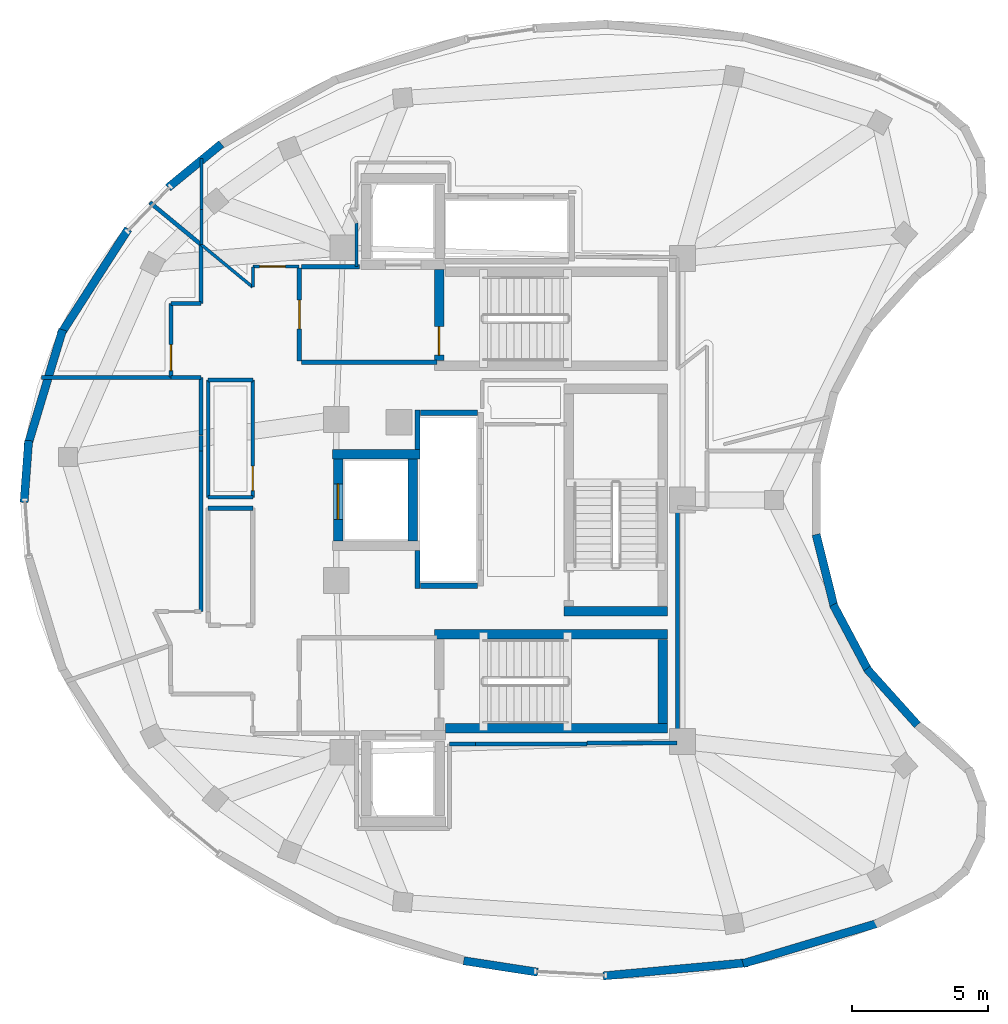
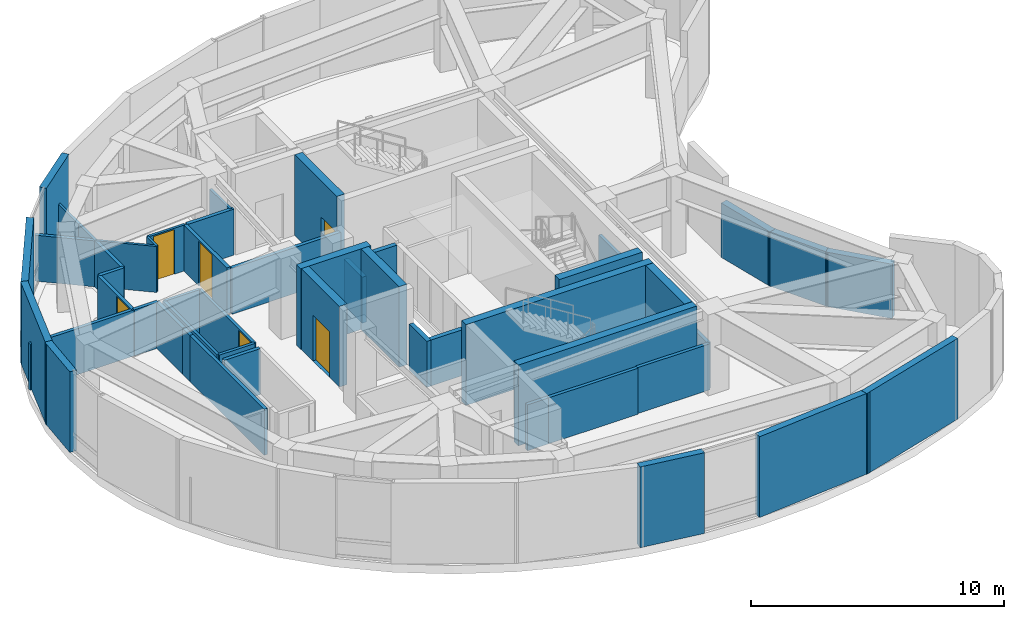
# One storey, part 4 of 8: 49 walls, 6 doors, 6 openings.
"""IFC4 building model written with IfcOpenShell, lengths in metres."""

from ifc_helpers import new_model, si_unit, direction, frame, frame_2d, origin, place, context, subcontext, project, spatial, rectangle, extrude, material, layer, layer_set, type_object, element, fill, save


model = new_model("IFC4")

# Units and contexts
model_context = context("Model", 3, precision=1e-05, world=origin(), true_north=direction((0.0, 1.0)))
body_context = subcontext(model_context, "Body", "Model", "MODEL_VIEW")
ifc_project = project(units=[si_unit("LENGTHUNIT", "METRE"), si_unit("AREAUNIT", "SQUARE_METRE"), si_unit("VOLUMEUNIT", "CUBIC_METRE"), si_unit("PLANEANGLEUNIT", "RADIAN"), si_unit("MASSUNIT", "GRAM", prefix="KILO")], contexts=[model_context])

# Site, building, storey
site_placement = place(None, origin())
site = spatial("IfcSite", under=ifc_project, at=site_placement, CompositionType="ELEMENT")
building_placement = place(site_placement, origin())
building = spatial("IfcBuilding", under=site, at=building_placement, Name="Korentha Bioscience Tower", CompositionType="ELEMENT")
storey_placement = place(building_placement, frame((0.0, 0.0, 322.800048828125)))
storey = spatial("IfcBuildingStorey", under=building, at=storey_placement, Name="L74", CompositionType="ELEMENT", Elevation=322.800048828125)

# Wall, opening, door
ifc_material_1 = material(Name="Double-Stud Acoustic Gypsum", Category="gypsum")
ifc_layer_1 = layer(ifc_material_1, 0.14990234375, Name="Double-Stud Acoustic Gypsum")
ifc_layer_set_1 = layer_set([ifc_layer_1], Name="Double-Stud Acoustic Gypsum (IW-L150)")
wall_type_1 = type_object("IfcWallType", Name="Acoustic Laboratory Partition Wall 150", PredefinedType="PARTITIONING", material=ifc_layer_set_1)
wall_1_placement = place(storey_placement, frame((18.7900390625, 34.199951171875, 0.0), z_axis=(0.0, 0.0, 1.0), x_axis=(0.0, -1.0, 0.0)))
wall_1 = element("IfcWall", 1, at=wall_1_placement, inside=storey, type_object=wall_type_1, Name="L74 Staff Pantry Kitchenette 04 Entrance Wall", PredefinedType="PARTITIONING", context=body_context, shape_type="SweptSolid", body=[
    extrude(rectangle(XDim=2.69287109375, YDim=0.14990234375, at=frame_2d((1.346435546875, 0.0))), origin(), (0.0, 0.0, 1.0), 2.219970703125),
])
opening_1_placement = place(wall_1_placement, frame((1.5029296875, 0.0, 0.0)))
opening_1 = element("IfcOpeningElement", 2, at=opening_1_placement, cuts=wall_1, Name="Opening ID-10L", PredefinedType="OPENING", context=body_context, shape_type="SweptSolid", body=[
    extrude(rectangle(XDim=0.949951171875, YDim=2.14990234375, at=frame_2d((0.47509765625, 1.074951171875))), frame((0.0, 0.08984375, 0.0), z_axis=(0.0, -1.0, 0.0), x_axis=(1.0, 0.0, 0.0)), (0.0, 0.0, 1.0), 0.1796875),
])
ifc_material_2 = material(Name="Phenolic Laminate Timber Core", Category="wood")
door_type_1 = type_object("IfcDoorType", Name="Laboratory Single Leaf Door 950x2150 Left", OperationType="SINGLE_SWING_LEFT", PredefinedType="DOOR", material=ifc_material_2)
door_1_placement = place(opening_1_placement, origin())
door_1 = element("IfcDoor", 3, at=door_1_placement, inside=storey, type_object=door_type_1, Name="L74 Staff Pantry Kitchenette 04 Door", OperationType="SINGLE_SWING_LEFT", OverallHeight=2.14990234375, OverallWidth=0.949951171875, PredefinedType="DOOR", context=body_context, shape_type="SweptSolid", body=[
    extrude(rectangle(XDim=0.949951171875, YDim=2.14990234375, at=frame_2d((0.47509765625, 1.074951171875))), frame((0.0, 0.02490234375, 0.0), z_axis=(0.0, -1.0, 0.0), x_axis=(1.0, 0.0, 0.0)), (0.0, 0.0, 1.0), 0.050048828125),
])
fill(opening_1, door_1)

# Walls
wall_2_placement = place(storey_placement, frame((29.000244140625, 18.048095703125, 0.0), z_axis=(0.0, 0.0, 1.0), x_axis=(1.0, 0.0, 0.0)))
element("IfcWall", 4, at=wall_2_placement, inside=storey, type_object=wall_type_1, Name="L74 Interior Partition 029", PredefinedType="PARTITIONING", context=body_context, shape_type="SweptSolid", body=[
    extrude(rectangle(XDim=0.949951171875, YDim=0.14990234375, at=frame_2d((0.47509765625, 0.0))), origin(), (0.0, 0.0, 1.0), 2.219970703125),
])
wall_3_placement = place(storey_placement, frame((29.95458984375, 18.048095703125, 0.0), z_axis=(0.0, 0.0, 1.0), x_axis=(1.0, 0.0, 0.0)))
element("IfcWall", 5, at=wall_3_placement, inside=storey, type_object=wall_type_1, Name="L74 Interior Partition 030", PredefinedType="PARTITIONING", context=body_context, shape_type="SweptSolid", body=[
    extrude(rectangle(XDim=4.087890625, YDim=0.14990234375, at=frame_2d((2.0439453125, 0.0))), origin(), (0.0, 0.0, 1.0), 2.219970703125),
])
wall_4_placement = place(storey_placement, frame((34.04248046875, 18.090087890625, 0.0), z_axis=(0.0, 0.0, 1.0), x_axis=(1.0, 0.0, 0.0)))
element("IfcWall", 6, at=wall_4_placement, inside=storey, type_object=wall_type_1, Name="L74 Interior Partition 031", PredefinedType="PARTITIONING", context=body_context, shape_type="SweptSolid", body=[
    extrude(rectangle(XDim=3.3076171875, YDim=0.14990234375, at=frame_2d((1.65380859375, 0.0))), origin(), (0.0, 0.0, 1.0), 2.219970703125),
])
wall_5_placement = place(storey_placement, frame((37.360107421875, 18.10009765625, 0.0), z_axis=(0.0, 0.0, 1.0), x_axis=(0.0, 1.0, 0.0)))
element("IfcWall", 7, at=wall_5_placement, inside=storey, type_object=wall_type_1, Name="L74 Interior Partition 032", PredefinedType="PARTITIONING", context=body_context, shape_type="SweptSolid", body=[
    extrude(rectangle(XDim=8.623779296875, YDim=0.14990234375, at=frame_2d((4.31201171875, 0.0))), origin(), (0.0, 0.0, 1.0), 2.219970703125),
])
wall_6_placement = place(storey_placement, frame((14.052490234375, 31.4970703125, 0.0), z_axis=(0.0, 0.0, 1.0), x_axis=(1.0, 0.0, 0.0)))
element("IfcWall", 8, at=wall_6_placement, inside=storey, type_object=wall_type_1, Name="L74 Interior Partition 054", PredefinedType="PARTITIONING", context=body_context, shape_type="SweptSolid", body=[
    extrude(rectangle(XDim=4.738037109375, YDim=0.14990234375, at=frame_2d((2.369140625, 0.0))), origin(), (0.0, 0.0, 1.0), 2.219970703125),
])
wall_7_placement = place(storey_placement, frame((18.800048828125, 31.489990234375, 0.0), z_axis=(0.0, 0.0, 1.0), x_axis=(1.0, 0.0, 0.0)))
element("IfcWall", 9, at=wall_7_placement, inside=storey, type_object=wall_type_1, Name="L74 Interior Partition 055", PredefinedType="PARTITIONING", context=body_context, shape_type="SweptSolid", body=[
    extrude(rectangle(XDim=1.097900390625, YDim=0.14990234375, at=frame_2d((0.548828125, 0.0))), origin(), (0.0, 0.0, 1.0), 2.219970703125),
])
wall_8_placement = place(storey_placement, frame((19.89794921875, 31.489990234375, 0.0), z_axis=(0.0, 0.0, 1.0), x_axis=(0.0, -1.0, 0.0)))
element("IfcWall", 10, at=wall_8_placement, inside=storey, type_object=wall_type_1, Name="L74 Interior Partition 056", PredefinedType="PARTITIONING", context=body_context, shape_type="SweptSolid", body=[
    extrude(rectangle(XDim=2.111572265625, YDim=0.14990234375, at=frame_2d((1.0556640625, 0.0))), origin(), (0.0, 0.0, 1.0), 2.219970703125),
])
wall_9_placement = place(storey_placement, frame((19.89794921875, 29.3740234375, 0.0), z_axis=(0.0, 0.0, 1.0), x_axis=(0.0, -1.0, 0.0)))
element("IfcWall", 11, at=wall_9_placement, inside=storey, type_object=wall_type_1, Name="L74 Interior Partition 057", PredefinedType="PARTITIONING", context=body_context, shape_type="SweptSolid", body=[
    extrude(rectangle(XDim=0.572021484375, YDim=0.14990234375, at=frame_2d((0.2861328125, 0.0))), origin(), (0.0, 0.0, 1.0), 2.219970703125),
])
wall_10_placement = place(storey_placement, frame((19.89794921875, 28.7978515625, 0.0), z_axis=(0.0, 0.0, 1.0), x_axis=(0.0, -1.0, 0.0)))
element("IfcWall", 12, at=wall_10_placement, inside=storey, type_object=wall_type_1, Name="L74 Interior Partition 058", PredefinedType="PARTITIONING", context=body_context, shape_type="SweptSolid", body=[
    extrude(rectangle(XDim=5.887939453125, YDim=0.14990234375, at=frame_2d((2.94384765625, 0.0))), origin(), (0.0, 0.0, 1.0), 2.219970703125),
])
wall_11_placement = place(storey_placement, frame((18.017578125, 37.9111328125, 0.0), z_axis=(0.0, 0.0, 1.0), x_axis=(0.771439858468, -0.636302243251, 0.0)))
element("IfcWall", 13, at=wall_11_placement, inside=storey, type_object=wall_type_1, Name="L74 Interior Partition 060", PredefinedType="PARTITIONING", context=body_context, shape_type="SweptSolid", body=[
    extrude(rectangle(XDim=2.429931640625, YDim=0.14990234375, at=frame_2d((1.21484375, 0.0))), origin(), (0.0, 0.0, 1.0), 2.219970703125),
])
wall_12_placement = place(storey_placement, frame((19.89794921875, 36.352294921875, 0.0), z_axis=(0.0, 0.0, 1.0), x_axis=(0.0, -1.0, 0.0)))
element("IfcWall", 14, at=wall_12_placement, inside=storey, type_object=wall_type_1, Name="L74 Interior Partition 061", PredefinedType="PARTITIONING", context=body_context, shape_type="SweptSolid", body=[
    extrude(rectangle(XDim=2.142333984375, YDim=0.14990234375, at=frame_2d((1.0712890625, 0.0))), origin(), (0.0, 0.0, 1.0), 2.219970703125),
])
wall_13_placement = place(storey_placement, frame((19.89794921875, 34.2099609375, 0.0), z_axis=(0.0, 0.0, 1.0), x_axis=(-1.0, 0.0, 0.0)))
element("IfcWall", 15, at=wall_13_placement, inside=storey, type_object=wall_type_1, Name="L74 Interior Partition 062", PredefinedType="PARTITIONING", context=body_context, shape_type="SweptSolid", body=[
    extrude(rectangle(XDim=1.097900390625, YDim=0.14990234375, at=frame_2d((0.548828125, 0.0))), origin(), (0.0, 0.0, 1.0), 2.219970703125),
])

# Wall, opening, door
ifc_material_3 = material(Name="Fire-Rated Framed Glass", Category="glass")
ifc_layer_2 = layer(ifc_material_3, 0.110107421875, Name="Fire-Rated Framed Glass")
ifc_layer_set_2 = layer_set([ifc_layer_2], Name="Fire-Rated Framed Glass (IW-G110)")
wall_type_2 = type_object("IfcWallType", Name="Demountable Glazed Office Partition 110", PredefinedType="MOVABLE", material=ifc_layer_set_2)
wall_14_placement = place(storey_placement, frame((23.489990234375, 35.56005859375, 0.0), z_axis=(0.0, 0.0, 1.0), x_axis=(-1.0, 0.0, 0.0)))
wall_14 = element("IfcWall", 16, at=wall_14_placement, inside=storey, type_object=wall_type_2, Name="L74 Principal Investigator Office 02 Entrance Wall", PredefinedType="MOVABLE", context=body_context, shape_type="SweptSolid", body=[
    extrude(rectangle(XDim=1.68994140625, YDim=0.110107421875, at=frame_2d((0.844970703125, 0.0))), origin(), (0.0, 0.0, 1.0), 2.219970703125),
])
opening_2_placement = place(wall_14_placement, frame((0.5, 0.0, 0.0)))
opening_2 = element("IfcOpeningElement", 17, at=opening_2_placement, cuts=wall_14, Name="Opening ID-10L", PredefinedType="OPENING", context=body_context, shape_type="SweptSolid", body=[
    extrude(rectangle(XDim=0.949951171875, YDim=2.14990234375, at=frame_2d((0.47509765625, 1.074951171875))), frame((0.0, 0.06982421875, 0.0), z_axis=(0.0, -1.0, 0.0), x_axis=(1.0, 0.0, 0.0)), (0.0, 0.0, 1.0), 0.139892578125),
])
door_2_placement = place(opening_2_placement, origin())
door_2 = element("IfcDoor", 18, at=door_2_placement, inside=storey, type_object=door_type_1, Name="L74 Principal Investigator Office 02 Door", OperationType="SINGLE_SWING_LEFT", OverallHeight=2.14990234375, OverallWidth=0.949951171875, PredefinedType="DOOR", context=body_context, shape_type="SweptSolid", body=[
    extrude(rectangle(XDim=0.949951171875, YDim=2.14990234375, at=frame_2d((0.47509765625, 1.074951171875))), frame((0.0, 0.02490234375, 0.0), z_axis=(0.0, -1.0, 0.0), x_axis=(1.0, 0.0, 0.0)), (0.0, 0.0, 1.0), 0.050048828125),
])
fill(opening_2, door_2)

# Walls
wall_15_placement = place(storey_placement, frame((19.902099609375, 37.652099609375, 0.0), z_axis=(0.0, 0.0, 1.0), x_axis=(0.0, 1.0, 0.0)))
element("IfcWall", 19, at=wall_15_placement, inside=storey, type_object=wall_type_2, Name="L74 Interior Partition 036", PredefinedType="MOVABLE", context=body_context, shape_type="SweptSolid", body=[
    extrude(rectangle(XDim=1.873291015625, YDim=0.110107421875, at=frame_2d((0.9365234375, 0.0))), origin(), (0.0, 0.0, 1.0), 2.219970703125),
])
wall_16_placement = place(storey_placement, frame((25.60009765625, 37.1494140625, 0.0), z_axis=(0.0, 0.0, 1.0), x_axis=(0.0, -1.0, 0.0)))
element("IfcWall", 20, at=wall_16_placement, inside=storey, type_object=wall_type_2, Name="L74 Interior Partition 050", PredefinedType="MOVABLE", context=body_context, shape_type="SweptSolid", body=[
    extrude(rectangle(XDim=1.585205078125, YDim=0.110107421875, at=frame_2d((0.79248046875, 0.0))), origin(), (0.0, 0.0, 1.0), 2.219970703125),
])
wall_17_placement = place(storey_placement, frame((21.7900390625, 35.550048828125, 0.0), z_axis=(0.0, 0.0, 1.0), x_axis=(0.0, -1.0, 0.0)))
element("IfcWall", 21, at=wall_17_placement, inside=storey, type_object=wall_type_2, Name="L74 Interior Partition 051", PredefinedType="MOVABLE", context=body_context, shape_type="SweptSolid", body=[
    extrude(rectangle(XDim=0.745361328125, YDim=0.110107421875, at=frame_2d((0.37255859375, 0.0))), origin(), (0.0, 0.0, 1.0), 2.219970703125),
])
wall_18_placement = place(storey_placement, frame((21.7900390625, 34.8046875, 0.0), z_axis=(0.0, 0.0, 1.0), x_axis=(-0.771457748332, 0.636280553325, 0.0)))
element("IfcWall", 22, at=wall_18_placement, inside=storey, type_object=wall_type_2, Name="L74 Interior Partition 052", PredefinedType="MOVABLE", context=body_context, shape_type="SweptSolid", body=[
    extrude(rectangle(XDim=2.447265625, YDim=0.110107421875, at=frame_2d((1.2236328125, 0.0))), origin(), (0.0, 0.0, 1.0), 2.219970703125),
])
wall_19_placement = place(storey_placement, frame((19.902099609375, 36.3623046875, 0.0), z_axis=(0.0, 0.0, 1.0), x_axis=(0.0, 1.0, 0.0)))
element("IfcWall", 23, at=wall_19_placement, inside=storey, type_object=wall_type_2, Name="L74 Interior Partition 053", PredefinedType="MOVABLE", context=body_context, shape_type="SweptSolid", body=[
    extrude(rectangle(XDim=1.285400390625, YDim=0.110107421875, at=frame_2d((0.642578125, 0.0))), origin(), (0.0, 0.0, 1.0), 2.219970703125),
])

# Wall, opening, door
ifc_material_4 = material(Name="Gypsum-Clad Steel Stud", Category="steel")
ifc_layer_3 = layer(ifc_material_4, 0.159912109375, Name="Gypsum-Clad Steel Stud")
ifc_layer_set_3 = layer_set([ifc_layer_3], Name="Gypsum-Clad Steel Stud (IW-C160)")
wall_type_3 = type_object("IfcWallType", Name="Fire-Rated Corridor Partition Wall 160", PredefinedType="PARTITIONING", material=ifc_layer_set_3)
wall_20_placement = place(storey_placement, frame((23.5, 32.10009765625, 0.0), z_axis=(0.0, 0.0, 1.0), x_axis=(0.0, 1.0, 0.0)))
wall_20 = element("IfcWall", 24, at=wall_20_placement, inside=storey, type_object=wall_type_3, Name="L74 FFLN-CW Rated Enclosure Wall", PredefinedType="PARTITIONING", context=body_context, shape_type="SweptSolid", body=[
    extrude(rectangle(XDim=3.39990234375, YDim=0.159912109375, at=frame_2d((1.699951171875, 0.0))), origin(), (0.0, 0.0, 1.0), 2.219970703125),
])
opening_3_placement = place(wall_20_placement, frame((1.175048828125, 0.0, 0.0)))
opening_3 = element("IfcOpeningElement", 25, at=opening_3_placement, cuts=wall_20, Name="Opening FD-90L", PredefinedType="OPENING", context=body_context, shape_type="SweptSolid", body=[
    extrude(rectangle(XDim=1.050048828125, YDim=2.14990234375, at=frame_2d((0.52490234375, 1.074951171875))), frame((0.0, 0.0947265625, 0.0), z_axis=(0.0, -1.0, 0.0), x_axis=(1.0, 0.0, 0.0)), (0.0, 0.0, 1.0), 0.189697265625),
])
ifc_material_5 = material(Name="Powder-Coated Fire-Rated Steel", Category="steel")
door_type_2 = type_object("IfcDoorType", Name="Stairwell Fire Exit Door 1050x2150 Left", OperationType="SINGLE_SWING_LEFT", PredefinedType="DOOR", material=ifc_material_5)
door_3_placement = place(opening_3_placement, origin())
door_3 = element("IfcDoor", 26, at=door_3_placement, inside=storey, type_object=door_type_2, Name="L74 North Firefighting Lobby Door", OperationType="SINGLE_SWING_LEFT", OverallHeight=2.14990234375, OverallWidth=1.050048828125, PredefinedType="DOOR", context=body_context, shape_type="SweptSolid", body=[
    extrude(rectangle(XDim=1.050048828125, YDim=2.14990234375, at=frame_2d((0.52490234375, 1.074951171875))), frame((0.0, 0.02490234375, 0.0), z_axis=(0.0, -1.0, 0.0), x_axis=(1.0, 0.0, 0.0)), (0.0, 0.0, 1.0), 0.050048828125),
])
fill(opening_3, door_3)

# Walls
wall_21_placement = place(storey_placement, frame((23.580078125, 32.050048828125, 0.0), z_axis=(0.0, 0.0, 1.0), x_axis=(1.0, 0.0, 0.0)))
element("IfcWall", 27, at=wall_21_placement, inside=storey, type_object=wall_type_3, Name="L74 Firefighting Lobby Return Wall FFLN-S", PredefinedType="PARTITIONING", context=body_context, shape_type="SweptSolid", body=[
    extrude(rectangle(XDim=4.969970703125, YDim=0.159912109375, at=frame_2d((2.48486328125, 0.0))), origin(), (0.0, 0.0, 1.0), 2.219970703125),
])
wall_22_placement = place(storey_placement, frame((23.580078125, 35.550048828125, 0.0), z_axis=(0.0, 0.0, 1.0), x_axis=(1.0, 0.0, 0.0)))
element("IfcWall", 28, at=wall_22_placement, inside=storey, type_object=wall_type_3, Name="L74 Firefighting Lobby Return Wall FFLN-N", PredefinedType="PARTITIONING", context=body_context, shape_type="SweptSolid", body=[
    extrude(rectangle(XDim=2.119873046875, YDim=0.159912109375, at=frame_2d((1.06005859375, 0.0))), origin(), (0.0, 0.0, 1.0), 2.219970703125),
])
wall_23_placement = place(storey_placement, frame((20.14990234375, 26.699951171875, 0.0), z_axis=(0.0, 0.0, 1.0), x_axis=(1.0, 0.0, 0.0)))
element("IfcWall", 29, at=wall_23_placement, inside=storey, type_object=wall_type_3, Name="L74 Interior Partition 014", PredefinedType="PARTITIONING", context=body_context, shape_type="SweptSolid", body=[
    extrude(rectangle(XDim=1.64013671875, YDim=0.159912109375, at=frame_2d((0.820068359375, 0.0))), origin(), (0.0, 0.0, 1.0), 2.219970703125),
])
ifc_material_6 = material(Name="Honed Limestone Precast Concrete C40", Category="masonry")
ifc_layer_4 = layer(ifc_material_6, 0.300048828125, Name="Honed Limestone Precast Concrete C40")
ifc_layer_set_4 = layer_set([ifc_layer_4], Name="Honed Limestone Precast Concrete C40 (EW-ST300)")
wall_type_4 = type_object("IfcWallType", Name="Honed Limestone Cavity Spandrel Wall 300", PredefinedType="STANDARD", material=ifc_layer_set_4)
wall_24_placement = place(storey_placement, frame((20.639892578125, 40.053955078125, 0.0), z_axis=(0.0, 0.0, 1.0), x_axis=(-0.77351792086, -0.633774428411, 0.0)))
element("IfcWall", 30, at=wall_24_placement, inside=storey, type_object=wall_type_4, Name="L74 Limestone Perimeter Closure Wall 12", PredefinedType="STANDARD", context=body_context, shape_type="SweptSolid", body=[
    extrude(rectangle(XDim=2.5263671875, YDim=0.300048828125, at=frame_2d((1.26318359375, 0.0))), origin(), (0.0, 0.0, 1.0), 3.89990234375),
])
wall_25_placement = place(storey_placement, frame((17.22412109375, 36.936279296875, 0.0), z_axis=(0.0, 0.0, 1.0), x_axis=(-0.540087262842, -0.841609023547, 0.0)))
element("IfcWall", 31, at=wall_25_placement, inside=storey, type_object=wall_type_4, Name="L74 Limestone Perimeter Closure Wall 14", PredefinedType="STANDARD", context=body_context, shape_type="SweptSolid", body=[
    extrude(rectangle(XDim=4.60302734375, YDim=0.300048828125, at=frame_2d((2.301513671875, 0.0))), origin(), (0.0, 0.0, 1.0), 3.89990234375),
])
wall_26_placement = place(storey_placement, frame((14.820556640625, 33.241455078125, 0.0), z_axis=(0.0, 0.0, 1.0), x_axis=(-0.288720187326, -0.95741352269, 0.0)))
element("IfcWall", 32, at=wall_26_placement, inside=storey, type_object=wall_type_4, Name="L74 Limestone Perimeter Closure Wall 16", PredefinedType="STANDARD", context=body_context, shape_type="SweptSolid", body=[
    extrude(rectangle(XDim=4.4384765625, YDim=0.300048828125, at=frame_2d((2.21923828125, 0.0))), origin(), (0.0, 0.0, 1.0), 3.89990234375),
])
wall_27_placement = place(storey_placement, frame((13.573486328125, 29.17822265625, 0.0), z_axis=(0.0, 0.0, 1.0), x_axis=(-0.073741209899, -0.997277410735, 0.0)))
element("IfcWall", 33, at=wall_27_placement, inside=storey, type_object=wall_type_4, Name="L74 Limestone Perimeter Closure Wall 18", PredefinedType="STANDARD", context=body_context, shape_type="SweptSolid", body=[
    extrude(rectangle(XDim=2.2744140625, YDim=0.300048828125, at=frame_2d((1.13720703125, 0.0))), origin(), (0.0, 0.0, 1.0), 3.89990234375),
])
wall_28_placement = place(storey_placement, frame((29.525634765625, 10.107421875, 0.0), z_axis=(0.0, 0.0, 1.0), x_axis=(0.988239617777, -0.152913236363, 0.0)))
element("IfcWall", 34, at=wall_28_placement, inside=storey, type_object=wall_type_4, Name="L74 Limestone Perimeter Closure Wall 30", PredefinedType="STANDARD", context=body_context, shape_type="SweptSolid", body=[
    extrude(rectangle(XDim=2.742919921875, YDim=0.300048828125, at=frame_2d((1.37158203125, 0.0))), origin(), (0.0, 0.0, 1.0), 3.89990234375),
])
wall_29_placement = place(storey_placement, frame((34.6357421875, 9.550537109375, 0.0), z_axis=(0.0, 0.0, 1.0), x_axis=(0.995809155395, 0.091455595959, 0.0)))
element("IfcWall", 35, at=wall_29_placement, inside=storey, type_object=wall_type_4, Name="L74 Limestone Perimeter Closure Wall 32", PredefinedType="STANDARD", context=body_context, shape_type="SweptSolid", body=[
    extrude(rectangle(XDim=5.33642578125, YDim=0.300048828125, at=frame_2d((2.668212890625, 0.0))), origin(), (0.0, 0.0, 1.0), 3.89990234375),
])
wall_30_placement = place(storey_placement, frame((39.76611328125, 10.003173828125, 0.0), z_axis=(0.0, 0.0, 1.0), x_axis=(0.957960798093, 0.286899127423, 0.0)))
element("IfcWall", 36, at=wall_30_placement, inside=storey, type_object=wall_type_4, Name="L74 Limestone Perimeter Closure Wall 34", PredefinedType="STANDARD", context=body_context, shape_type="SweptSolid", body=[
    extrude(rectangle(XDim=5.240966796875, YDim=0.300048828125, at=frame_2d((2.62060546875, 0.0))), origin(), (0.0, 0.0, 1.0), 3.89990234375),
])
wall_31_placement = place(storey_placement, frame((46.159423828125, 18.751708984375, 0.0), z_axis=(0.0, 0.0, 1.0), x_axis=(-0.669091119289, 0.743180377895, 0.0)))
element("IfcWall", 37, at=wall_31_placement, inside=storey, type_object=wall_type_4, Name="L74 Limestone Perimeter Closure Wall 43", PredefinedType="STANDARD", context=body_context, shape_type="SweptSolid", body=[
    extrude(rectangle(XDim=2.774658203125, YDim=0.300048828125, at=frame_2d((1.38720703125, 0.0))), origin(), (0.0, 0.0, 1.0), 2.625),
])
wall_32_placement = place(storey_placement, frame((44.37451171875, 20.71142578125, 0.0), z_axis=(0.0, 0.0, 1.0), x_axis=(-0.469496211135, 0.882934486658, 0.0)))
element("IfcWall", 38, at=wall_32_placement, inside=storey, type_object=wall_type_4, Name="L74 Limestone Perimeter Closure Wall 45", PredefinedType="STANDARD", context=body_context, shape_type="SweptSolid", body=[
    extrude(rectangle(XDim=2.774169921875, YDim=0.300048828125, at=frame_2d((1.38720703125, 0.0))), origin(), (0.0, 0.0, 1.0), 2.625),
])
wall_33_placement = place(storey_placement, frame((43.11669921875, 23.044677734375, 0.0), z_axis=(0.0, 0.0, 1.0), x_axis=(-0.241914392704, 0.970297596927, 0.0)))
element("IfcWall", 39, at=wall_33_placement, inside=storey, type_object=wall_type_4, Name="L74 Limestone Perimeter Closure Wall 47", PredefinedType="STANDARD", context=body_context, shape_type="SweptSolid", body=[
    extrude(rectangle(XDim=2.7744140625, YDim=0.300048828125, at=frame_2d((1.38720703125, 0.0))), origin(), (0.0, 0.0, 1.0), 2.625),
])
ifc_material_7 = material(Name="Autoclaved Aerated Concrete Block C25", Category="concrete")
ifc_layer_5 = layer(ifc_material_7, 0.199951171875, Name="Autoclaved Aerated Concrete Block C25")
ifc_layer_set_5 = layer_set([ifc_layer_5], Name="Autoclaved Aerated Concrete Block C25 (IW-S200)")
wall_type_5 = type_object("IfcWallType", Name="Lift and Riser Shaft Enclosure Wall 200", PredefinedType="PARTITIONING", material=ifc_layer_set_5)
wall_34_placement = place(storey_placement, frame((27.830078125, 23.75, 0.0), z_axis=(0.0, 0.0, 1.0), x_axis=(0.0, 1.0, 0.0)))
element("IfcWall", 40, at=wall_34_placement, inside=storey, type_object=wall_type_5, Name="L74 Lift Bank HIGH Shaft Wall -XS", PredefinedType="PARTITIONING", context=body_context, shape_type="SweptSolid", body=[
    extrude(rectangle(XDim=1.39111328125, YDim=0.199951171875, at=frame_2d((0.695556640625, 0.0))), origin(), (0.0, 0.0, 1.0), 2.219970703125),
])
wall_35_placement = place(storey_placement, frame((27.830078125, 28.85888671875, 0.0), z_axis=(0.0, 0.0, 1.0), x_axis=(0.0, 1.0, 0.0)))
element("IfcWall", 41, at=wall_35_placement, inside=storey, type_object=wall_type_5, Name="L74 Lift Bank HIGH Shaft Wall -XN", PredefinedType="PARTITIONING", context=body_context, shape_type="SweptSolid", body=[
    extrude(rectangle(XDim=1.441162109375, YDim=0.199951171875, at=frame_2d((0.720703125, 0.0))), origin(), (0.0, 0.0, 1.0), 2.219970703125),
])
for number, where, z_axis, x_axis, name in (
    (42, (27.93408203125, 23.85009765625, 0.0), (0.0, 0.0, 1.0), (1.0, 0.0, 0.0), "L74 Lift Bank HIGH Shaft Wall -Y"),
    (43, (27.93408203125, 30.199951171875, 0.0), (0.0, 0.0, 1.0), (1.0, 0.0, 0.0), "L74 Lift Bank HIGH Shaft Wall +Y"),
):
    element("IfcWall", number, at=place(storey_placement, frame(where, z_axis=z_axis, x_axis=x_axis)), inside=storey, type_object=wall_type_5, Name=name, PredefinedType="PARTITIONING", context=body_context, shape_type="SweptSolid", body=[
        extrude(rectangle(XDim=2.095947265625, YDim=0.199951171875, at=frame_2d((1.0478515625, 0.0))), origin(), (0.0, 0.0, 1.0), 2.219970703125),
    ])

# Wall, opening, door
ifc_material_8 = material(Name="Concrete C50", Category="concrete")
ifc_layer_6 = layer(ifc_material_8, 0.35009765625, Name="Concrete C50")
ifc_layer_set_6 = layer_set([ifc_layer_6], Name="Concrete C50 (CW-C50)")
wall_type_6 = type_object("IfcWallType", Name="Upper Core Shear Wall 350", PredefinedType="SHEAR", material=ifc_layer_set_6)
wall_36_placement = place(storey_placement, frame((28.625, 32.110107421875, 0.0), z_axis=(0.0, 0.0, 1.0), x_axis=(0.0, 1.0, 0.0)))
wall_36 = element("IfcWall", 44, at=wall_36_placement, inside=storey, type_object=wall_type_6, Name="L74 Core Shear Wall ST1-W", PredefinedType="SHEAR", context=body_context, shape_type="SweptSolid", body=[
    extrude(rectangle(XDim=3.3330078125, YDim=0.35009765625, at=frame_2d((1.66650390625, 0.0))), origin(), (0.0, 0.0, 1.0), 3.89990234375),
])
opening_4_placement = place(wall_36_placement, frame((0.199951171875, 0.0, 0.0)))
opening_4 = element("IfcOpeningElement", 45, at=opening_4_placement, cuts=wall_36, Name="Opening FD-90L", PredefinedType="OPENING", context=body_context, shape_type="SweptSolid", body=[
    extrude(rectangle(XDim=1.050048828125, YDim=2.14990234375, at=frame_2d((0.52490234375, 1.074951171875))), frame((0.0, 0.18994140625, 0.0), z_axis=(0.0, -1.0, 0.0), x_axis=(1.0, 0.0, 0.0)), (0.0, 0.0, 1.0), 0.3798828125),
])
door_4_placement = place(opening_4_placement, origin())
door_4 = element("IfcDoor", 46, at=door_4_placement, inside=storey, type_object=door_type_2, Name="L74 ST-1 Fire Exit Stair Door", OperationType="SINGLE_SWING_LEFT", OverallHeight=2.14990234375, OverallWidth=1.050048828125, PredefinedType="DOOR", context=body_context, shape_type="SweptSolid", body=[
    extrude(rectangle(XDim=1.050048828125, YDim=2.14990234375, at=frame_2d((0.52490234375, 1.074951171875))), frame((0.0, 0.02490234375, 0.0), z_axis=(0.0, -1.0, 0.0), x_axis=(1.0, 0.0, 0.0)), (0.0, 0.0, 1.0), 0.050048828125),
])
fill(opening_4, door_4)

# Walls
wall_37_placement = place(storey_placement, frame((28.85205078125, 18.625, 0.0), z_axis=(0.0, 0.0, 1.0), x_axis=(1.0, 0.0, 0.0)))
element("IfcWall", 47, at=wall_37_placement, inside=storey, type_object=wall_type_6, Name="L74 Core Shear Wall ST2-S", PredefinedType="SHEAR", context=body_context, shape_type="SweptSolid", body=[
    extrude(rectangle(XDim=8.14794921875, YDim=0.35009765625, at=frame_2d((4.073974609375, 0.0))), origin(), (0.0, 0.0, 1.0), 3.89990234375),
])
wall_38_placement = place(storey_placement, frame((28.449951171875, 22.074951171875, 0.0), z_axis=(0.0, 0.0, 1.0), x_axis=(1.0, 0.0, 0.0)))
element("IfcWall", 48, at=wall_38_placement, inside=storey, type_object=wall_type_6, Name="L74 Core Shear Wall ST2-N", PredefinedType="SHEAR", context=body_context, shape_type="SweptSolid", body=[
    extrude(rectangle(XDim=8.550048828125, YDim=0.35009765625, at=frame_2d((4.27490234375, 0.0))), origin(), (0.0, 0.0, 1.0), 3.89990234375),
])
wall_39_placement = place(storey_placement, frame((36.824951171875, 18.81005859375, 0.0), z_axis=(0.0, 0.0, 1.0), x_axis=(0.0, 1.0, 0.0)))
element("IfcWall", 49, at=wall_39_placement, inside=storey, type_object=wall_type_6, Name="L74 Core Shear Wall ST2-E", PredefinedType="SHEAR", context=body_context, shape_type="SweptSolid", body=[
    extrude(rectangle(XDim=3.079833984375, YDim=0.35009765625, at=frame_2d((1.5400390625, 0.0))), origin(), (0.0, 0.0, 1.0), 3.89990234375),
])
wall_40_placement = place(storey_placement, frame((33.199951171875, 22.925048828125, 0.0), z_axis=(0.0, 0.0, 1.0), x_axis=(1.0, 0.0, 0.0)))
element("IfcWall", 50, at=wall_40_placement, inside=storey, type_object=wall_type_6, Name="L74 Core Shear Wall ST3-S", PredefinedType="SHEAR", context=body_context, shape_type="SweptSolid", body=[
    extrude(rectangle(XDim=3.800048828125, YDim=0.35009765625, at=frame_2d((1.89990234375, 0.0))), origin(), (0.0, 0.0, 1.0), 3.89990234375),
])
wall_41_placement = place(storey_placement, frame((24.719970703125, 28.679931640625, 0.0), z_axis=(0.0, 0.0, 1.0), x_axis=(1.0, 0.0, 0.0)))
element("IfcWall", 51, at=wall_41_placement, inside=storey, type_object=wall_type_6, Name="L74 Core Shear Wall SVL1-N", PredefinedType="SHEAR", context=body_context, shape_type="SweptSolid", body=[
    extrude(rectangle(XDim=3.2099609375, YDim=0.35009765625, at=frame_2d((1.60498046875, 0.0))), origin(), (0.0, 0.0, 1.0), 3.89990234375),
])

# Wall, opening, door
wall_42_placement = place(storey_placement, frame((24.919921875, 25.4970703125, 0.0), z_axis=(0.0, 0.0, 1.0), x_axis=(0.0, 1.0, 0.0)))
wall_42 = element("IfcWall", 52, at=wall_42_placement, inside=storey, type_object=wall_type_6, Name="L74 Core Shear Wall SVL1-W", PredefinedType="SHEAR", context=body_context, shape_type="SweptSolid", body=[
    extrude(rectangle(XDim=3.005859375, YDim=0.35009765625, at=frame_2d((1.5029296875, 0.0))), origin(), (0.0, 0.0, 1.0), 3.89990234375),
])
opening_5_placement = place(wall_42_placement, frame((0.7900390625, 0.0, 0.0)))
opening_5 = element("IfcOpeningElement", 53, at=opening_5_placement, cuts=wall_42, Name="Opening LD-13", PredefinedType="OPENING", context=body_context, shape_type="SweptSolid", body=[
    extrude(rectangle(XDim=1.300048828125, YDim=2.199951171875, at=frame_2d((0.64990234375, 1.10009765625))), frame((0.0, 0.18994140625, 0.0), z_axis=(0.0, -1.0, 0.0), x_axis=(1.0, 0.0, 0.0)), (0.0, 0.0, 1.0), 0.3798828125),
])
ifc_material_9 = material(Name="Brushed Stainless Steel 316", Category="steel")
door_type_3 = type_object("IfcDoorType", Name="Service & Firefighting Lift Landing Door 1300x2300", OperationType="DOUBLE_DOOR_SLIDING", PredefinedType="DOOR", material=ifc_material_9)
door_5_placement = place(opening_5_placement, origin())
door_5 = element("IfcDoor", 54, at=door_5_placement, inside=storey, type_object=door_type_3, Name="L74 SVL-1 Sliding Lift Landing Door", OperationType="DOUBLE_DOOR_SLIDING", OverallHeight=2.199951171875, OverallWidth=1.300048828125, PredefinedType="DOOR", context=body_context, shape_type="SweptSolid", body=[
    extrude(rectangle(XDim=1.300048828125, YDim=2.199951171875, at=frame_2d((0.64990234375, 1.10009765625))), frame((0.0, 0.02490234375, 0.0), z_axis=(0.0, -1.0, 0.0), x_axis=(1.0, 0.0, 0.0)), (0.0, 0.0, 1.0), 0.050048828125),
])
fill(opening_5, door_5)

# Wall
wall_43_placement = place(storey_placement, frame((27.64990234375, 25.4970703125, 0.0), z_axis=(0.0, 0.0, 1.0), x_axis=(0.0, 1.0, 0.0)))
element("IfcWall", 55, at=wall_43_placement, inside=storey, type_object=wall_type_6, Name="L74 Core Shear Wall SVL1-E", PredefinedType="SHEAR", context=body_context, shape_type="SweptSolid", body=[
    extrude(rectangle(XDim=3.005859375, YDim=0.35009765625, at=frame_2d((1.5029296875, 0.0))), origin(), (0.0, 0.0, 1.0), 3.89990234375),
])

# Wall, opening, door
ifc_material_10 = material(Name="Cement-Board Steel Stud", Category="steel")
ifc_layer_7 = layer(ifc_material_10, 0.1298828125, Name="Cement-Board Steel Stud")
ifc_layer_set_7 = layer_set([ifc_layer_7], Name="Cement-Board Steel Stud (IW-W130)")
wall_type_7 = type_object("IfcWallType", Name="Wet-Area Moisture-Resistant Partition 130", PredefinedType="PARTITIONING", material=ifc_layer_set_7)
wall_44_placement = place(storey_placement, frame((21.7900390625, 31.39990234375, 0.0), z_axis=(0.0, 0.0, 1.0), x_axis=(0.0, -1.0, 0.0)))
wall_44 = element("IfcWall", 56, at=wall_44_placement, inside=storey, type_object=wall_type_7, Name="L74 Reclaimed Bank-2 Accessible Staff WC Entrance Wall", PredefinedType="PARTITIONING", context=body_context, shape_type="SweptSolid", body=[
    extrude(rectangle(XDim=4.2998046875, YDim=0.1298828125, at=frame_2d((2.14990234375, 0.0))), origin(), (0.0, 0.0, 1.0), 2.219970703125),
])
opening_6_placement = place(wall_44_placement, frame((3.159912109375, 0.0, 0.0)))
opening_6 = element("IfcOpeningElement", 57, at=opening_6_placement, cuts=wall_44, Name="Opening ID-09L", PredefinedType="OPENING", context=body_context, shape_type="SweptSolid", body=[
    extrude(rectangle(XDim=0.89990234375, YDim=2.14990234375, at=frame_2d((0.449951171875, 1.074951171875))), frame((0.0, 0.079833984375, 0.0), z_axis=(0.0, -1.0, 0.0), x_axis=(1.0, 0.0, 0.0)), (0.0, 0.0, 1.0), 0.15966796875),
])
ifc_material_11 = material(Name="Moisture-Resistant HPL Leaf", Category="wood")
door_type_4 = type_object("IfcDoorType", Name="Restroom & Accessible WC Door 900x2150 Left", OperationType="SINGLE_SWING_LEFT", PredefinedType="DOOR", material=ifc_material_11)
door_6_placement = place(opening_6_placement, origin())
door_6 = element("IfcDoor", 58, at=door_6_placement, inside=storey, type_object=door_type_4, Name="L74 Reclaimed Bank-2 Accessible Staff WC Door", OperationType="SINGLE_SWING_LEFT", OverallHeight=2.14990234375, OverallWidth=0.89990234375, PredefinedType="DOOR", context=body_context, shape_type="SweptSolid", body=[
    extrude(rectangle(XDim=0.89990234375, YDim=2.14990234375, at=frame_2d((0.449951171875, 1.074951171875))), frame((0.0, 0.02490234375, 0.0), z_axis=(0.0, -1.0, 0.0), x_axis=(1.0, 0.0, 0.0)), (0.0, 0.0, 1.0), 0.050048828125),
])
fill(opening_6, door_6)

# Walls
wall_45_placement = place(storey_placement, frame((21.7900390625, 27.10009765625, 0.0), z_axis=(0.0, 0.0, 1.0), x_axis=(-1.0, 0.0, 0.0)))
element("IfcWall", 59, at=wall_45_placement, inside=storey, type_object=wall_type_7, Name="L74 Interior Partition 015", PredefinedType="PARTITIONING", context=body_context, shape_type="SweptSolid", body=[
    extrude(rectangle(XDim=1.64013671875, YDim=0.1298828125, at=frame_2d((0.820068359375, 0.0))), origin(), (0.0, 0.0, 1.0), 2.219970703125),
])
wall_46_placement = place(storey_placement, frame((20.14990234375, 27.10009765625, 0.0), z_axis=(0.0, 0.0, 1.0), x_axis=(0.0, 1.0, 0.0)))
element("IfcWall", 60, at=wall_46_placement, inside=storey, type_object=wall_type_7, Name="L74 Interior Partition 016", PredefinedType="PARTITIONING", context=body_context, shape_type="SweptSolid", body=[
    extrude(rectangle(XDim=4.2998046875, YDim=0.1298828125, at=frame_2d((2.14990234375, 0.0))), origin(), (0.0, 0.0, 1.0), 2.219970703125),
])
wall_47_placement = place(storey_placement, frame((20.14990234375, 31.39990234375, 0.0), z_axis=(0.0, 0.0, 1.0), x_axis=(1.0, 0.0, 0.0)))
element("IfcWall", 61, at=wall_47_placement, inside=storey, type_object=wall_type_7, Name="L74 Interior Partition 017", PredefinedType="PARTITIONING", context=body_context, shape_type="SweptSolid", body=[
    extrude(rectangle(XDim=1.64013671875, YDim=0.1298828125, at=frame_2d((0.820068359375, 0.0))), origin(), (0.0, 0.0, 1.0), 2.219970703125),
])

save(model, "model.ifc")
